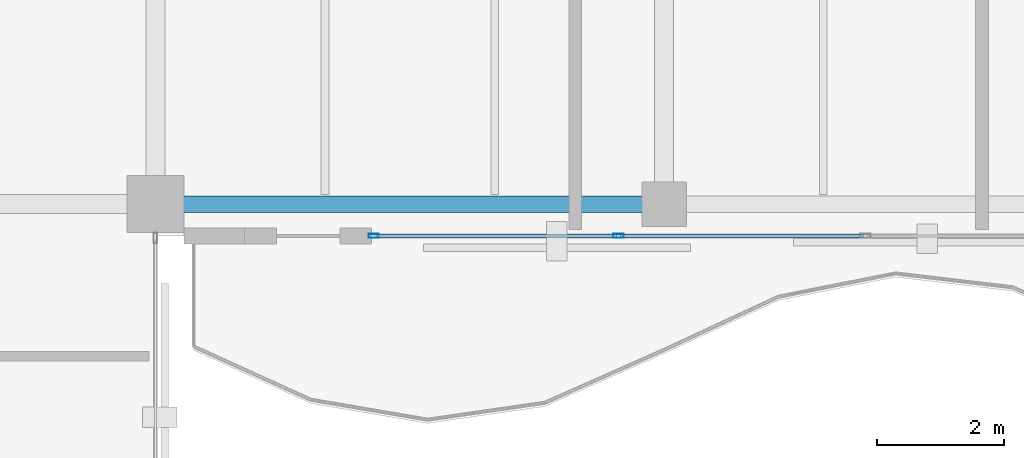
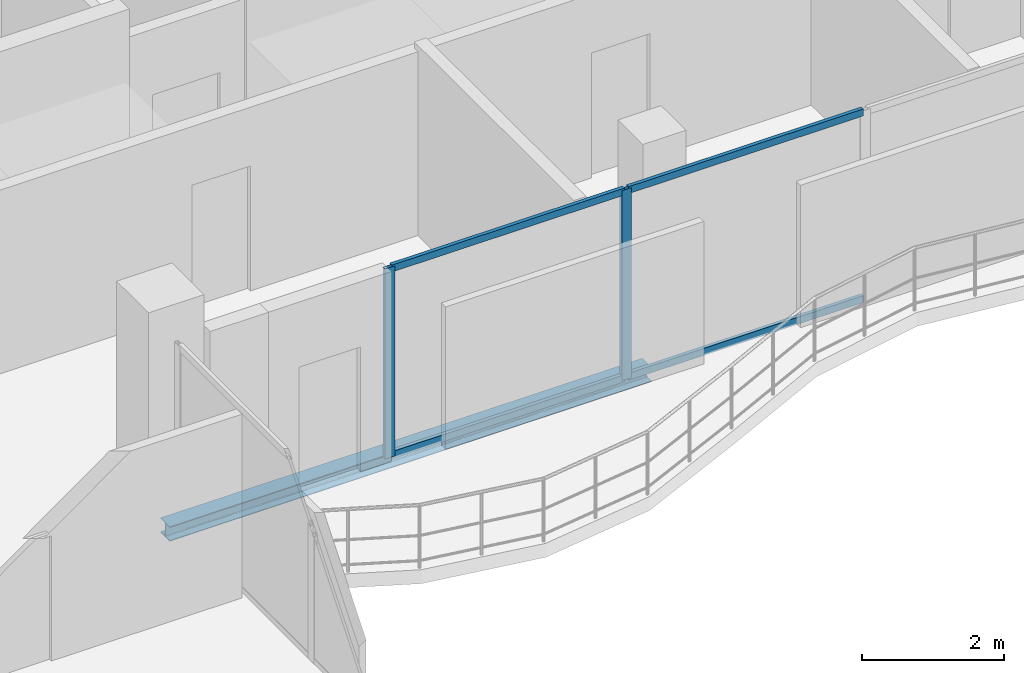
# One storey, part 5 of 16: 6 members, 1 beam, 1 element without a shape of its own.
"""IFC4 building model written with IfcOpenShell, lengths in metres."""

from ifc_helpers import new_model, si_unit, direction, frame, origin, origin_2d, place, context, subcontext, project, spatial, hollow_rectangle, i_section, extrude, material, layer, layer_set, material_profile, profile_set, type_object, element, aggregate, save


model = new_model("IFC4")

# Units and contexts
model_context = context("Model", 3, precision=1e-05, world=origin(), true_north=direction((0.0, 1.0)))
body_context = subcontext(model_context, "Body", "Model", "MODEL_VIEW")
ifc_project = project(units=[si_unit("LENGTHUNIT", "METRE"), si_unit("AREAUNIT", "SQUARE_METRE"), si_unit("VOLUMEUNIT", "CUBIC_METRE"), si_unit("PLANEANGLEUNIT", "RADIAN"), si_unit("MASSUNIT", "GRAM", prefix="KILO")], contexts=[model_context])

# Site, building, storey
site_placement = place(None, origin())
site = spatial("IfcSite", under=ifc_project, at=site_placement, CompositionType="ELEMENT")
building_placement = place(site_placement, origin())
building = spatial("IfcBuilding", under=site, at=building_placement, Name="Catumbela Crestline Tower", CompositionType="ELEMENT")
storey_placement = place(building_placement, frame((0.0, 0.0, 275.4)))
storey = spatial("IfcBuildingStorey", under=building, at=storey_placement, Name="L71", CompositionType="ELEMENT", Elevation=275.4)

# Curtain wall, members
ifc_material_1 = material(Name="Aluminium alloy AW-6060-T66", Category="aluminium")
ifc_layer = layer(ifc_material_1, 0.18, Name="Aluminium alloy AW-6060-T66")
ifc_layer_set = layer_set([ifc_layer], Name="Aluminium alloy AW-6060-T66")
curtain_wall_type = type_object("IfcCurtainWallType", Name="CWU-Z4", PredefinedType="USERDEFINED", material=ifc_layer_set)
curtain_wall_placement = place(storey_placement, origin())
curtain_wall = element("IfcCurtainWall", 1, at=curtain_wall_placement, inside=storey, type_object=curtain_wall_type, Name="L71 Unitised Curtain Wall CW-L71-E3S2", ObjectType="UNITISED", PredefinedType="USERDEFINED")
ifc_material_profile_1 = material_profile(ifc_material_1, hollow_rectangle(XDim=0.06, YDim=0.16, WallThickness=0.004, at=origin_2d()), Name="ALU 160x60x4")
ifc_profile_set_1 = profile_set([ifc_material_profile_1], Name="Aluminium alloy AW-6060-T66")
member_type_1 = type_object("IfcMemberType", Name="MUL-160X60", PredefinedType="MULLION", material=ifc_profile_set_1)
member_1_placement = place(storey_placement, frame((27.4325, 24.0, 0.0), z_axis=(0.0, 0.0, 1.0), x_axis=(0.0, 1.0, 0.0)))
member_1 = element("IfcMember", 2, at=member_1_placement, type_object=member_type_1, Name="CWU-Z4 mullion 1", PredefinedType="MULLION", context=body_context, shape_type="SweptSolid", body=[
    extrude(hollow_rectangle(XDim=0.06, YDim=0.16, WallThickness=0.004, at=origin_2d()), origin(), (0.0, 0.0, 1.0), 3.27),
])
member_2_placement = place(storey_placement, frame((31.2833, 24.0, 0.0), z_axis=(0.0, 0.0, 1.0), x_axis=(0.0, 1.0, 0.0)))
member_2 = element("IfcMember", 3, at=member_2_placement, type_object=member_type_1, Name="CWU-Z4 mullion 2", PredefinedType="MULLION", context=body_context, shape_type="SweptSolid", body=[
    extrude(hollow_rectangle(XDim=0.06, YDim=0.16, WallThickness=0.004, at=origin_2d()), origin(), (0.0, 0.0, 1.0), 3.27),
])

# Beam
ifc_material_2 = material(Name="Structural steel S355J2", Category="steel")
ifc_material_profile_2 = material_profile(ifc_material_2, i_section(OverallWidth=0.26, OverallDepth=0.25, WebThickness=0.0075, FlangeThickness=0.0125, FilletRadius=0.024, at=origin_2d()), Name="HEA 260")
ifc_profile_set_2 = profile_set([ifc_material_profile_2], Name="Structural steel S355J2")
beam_type = type_object("IfcBeamType", Name="BS-HEA260", PredefinedType="SPANDREL", material=ifc_profile_set_2)
beam_placement = place(storey_placement, frame((24.08, 24.5, -0.385), z_axis=(1.0, 0.0, 0.0), x_axis=(0.0, 1.0, 0.0)))
element("IfcBeam", 4, at=beam_placement, inside=storey, type_object=beam_type, Name="L71 Spandrel SP-L71-S02", PredefinedType="SPANDREL", context=body_context, shape_type="SweptSolid", body=[
    extrude(i_section(OverallWidth=0.26, OverallDepth=0.25, WebThickness=0.0075, FlangeThickness=0.0125, FilletRadius=0.024, at=origin_2d()), origin(), (0.0, 0.0, 1.0), 7.84),
])

# Member
ifc_material_profile_3 = material_profile(ifc_material_1, hollow_rectangle(XDim=0.06, YDim=0.12, WallThickness=0.0035, at=origin_2d()), Name="ALU 120x60x3.5")
ifc_profile_set_3 = profile_set([ifc_material_profile_3], Name="Aluminium alloy AW-6060-T66")
member_type_2 = type_object("IfcMemberType", Name="TRN-120X60", PredefinedType="USERDEFINED", material=ifc_profile_set_3)
member_3_placement = place(storey_placement, frame((27.465, 24.0, 0.03), z_axis=(1.0, 0.0, 0.0), x_axis=(0.0, 1.0, 0.0)))
member_3 = element("IfcMember", 5, at=member_3_placement, type_object=member_type_2, Name="CWU-Z4 transom 1.1", ObjectType="TRANSOM", PredefinedType="USERDEFINED", context=body_context, shape_type="SweptSolid", body=[
    extrude(hollow_rectangle(XDim=0.06, YDim=0.12, WallThickness=0.0035, at=origin_2d()), origin(), (0.0, 0.0, 1.0), 3.7858),
])

member_4_placement = place(storey_placement, frame((27.465, 24.0, 3.24), z_axis=(1.0, 0.0, 0.0), x_axis=(0.0, 1.0, 0.0)))
member_4 = element("IfcMember", 6, at=member_4_placement, type_object=member_type_2, Name="CWU-Z4 transom 1.2", ObjectType="TRANSOM", PredefinedType="USERDEFINED", context=body_context, shape_type="SweptSolid", body=[
    extrude(hollow_rectangle(XDim=0.06, YDim=0.12, WallThickness=0.0035, at=origin_2d()), origin(), (0.0, 0.0, 1.0), 3.7858),
])

member_5_placement = place(storey_placement, frame((31.3158, 24.0, 0.03), z_axis=(1.0, 0.0, 0.0), x_axis=(0.0, 1.0, 0.0)))
member_5 = element("IfcMember", 7, at=member_5_placement, type_object=member_type_2, Name="CWU-Z4 transom 2.1", ObjectType="TRANSOM", PredefinedType="USERDEFINED", context=body_context, shape_type="SweptSolid", body=[
    extrude(hollow_rectangle(XDim=0.06, YDim=0.12, WallThickness=0.0035, at=origin_2d()), origin(), (0.0, 0.0, 1.0), 3.8184),
])

member_6_placement = place(storey_placement, frame((31.3158, 24.0, 3.24), z_axis=(1.0, 0.0, 0.0), x_axis=(0.0, 1.0, 0.0)))
member_6 = element("IfcMember", 8, at=member_6_placement, type_object=member_type_2, Name="CWU-Z4 transom 2.2", ObjectType="TRANSOM", PredefinedType="USERDEFINED", context=body_context, shape_type="SweptSolid", body=[
    extrude(hollow_rectangle(XDim=0.06, YDim=0.12, WallThickness=0.0035, at=origin_2d()), origin(), (0.0, 0.0, 1.0), 3.8184),
])

aggregate(curtain_wall, [member_1, member_2, member_3, member_4, member_5, member_6])

save(model, "model.ifc")
